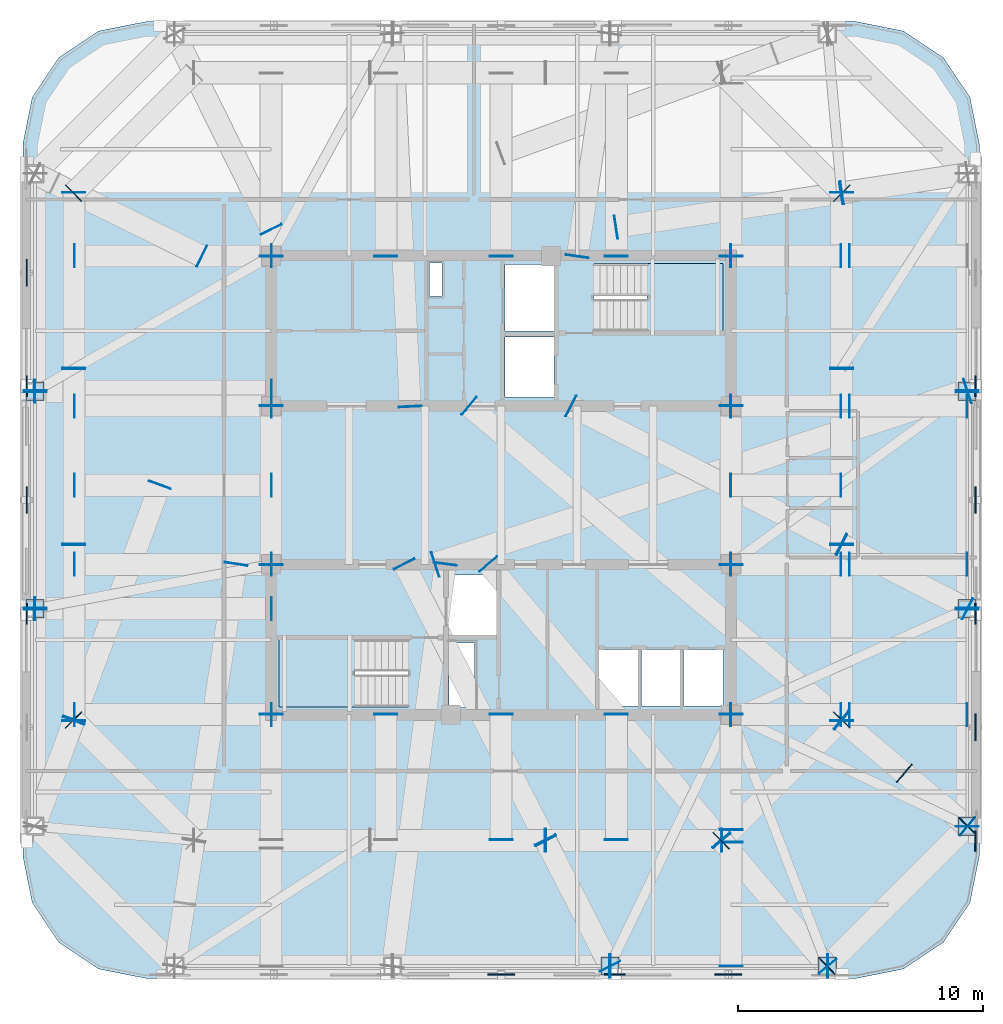
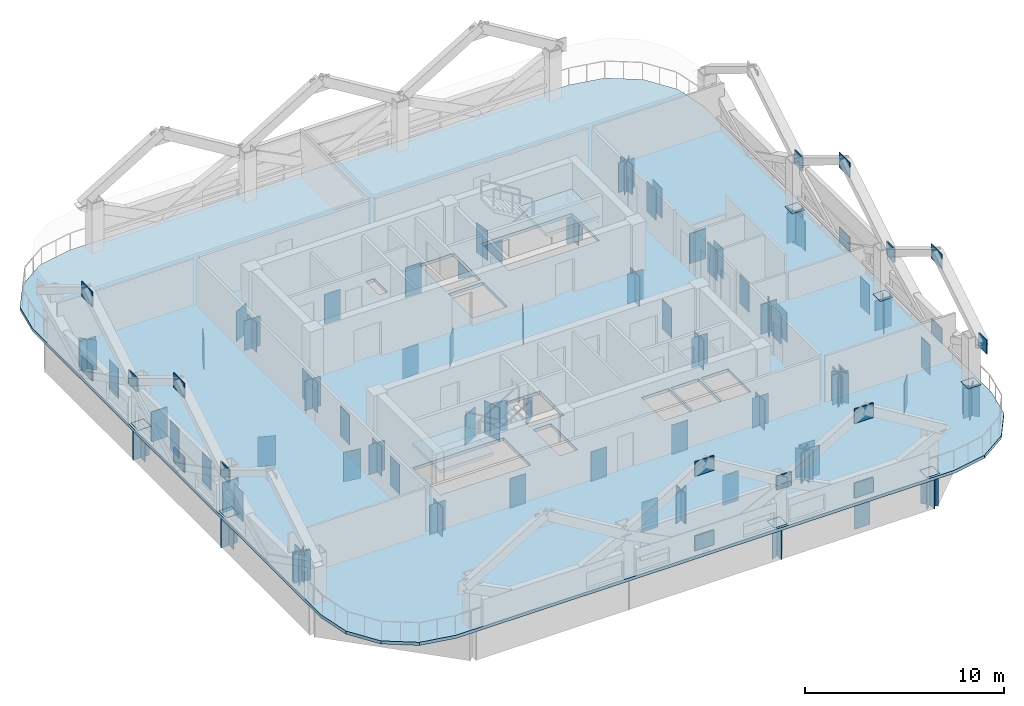
# One storey, part 4 of 11: 141 plates, 3 slabs, 2 elements without a shape of their own.
"""IFC4 building model written with IfcOpenShell, lengths in metres."""

from ifc_helpers import new_model, si_unit, direction, frame, origin, origin_2d, place, context, subcontext, project, spatial, polyline, rectangle, outline, extrude, material, layer, layer_set, type_object, element, aggregate, save


model = new_model("IFC4")

# Units and contexts
model_context = context("Model", 3, precision=1e-05, world=origin(), true_north=direction((0.0, 1.0)))
body_context = subcontext(model_context, "Body", "Model", "MODEL_VIEW")
ifc_project = project(units=[si_unit("LENGTHUNIT", "METRE"), si_unit("AREAUNIT", "SQUARE_METRE"), si_unit("VOLUMEUNIT", "CUBIC_METRE"), si_unit("PLANEANGLEUNIT", "RADIAN"), si_unit("MASSUNIT", "GRAM", prefix="KILO")], contexts=[model_context])

# Site, building, storey
site_placement = place(None, origin())
site = spatial("IfcSite", under=ifc_project, at=site_placement, CompositionType="ELEMENT")
building_placement = place(site_placement, origin())
building = spatial("IfcBuilding", under=site, at=building_placement, Name="Qhalaya Broadcast Tower", CompositionType="ELEMENT")
storey_placement = place(building_placement, frame((0.0, 0.0, 199.5)))
storey = spatial("IfcBuildingStorey", under=building, at=storey_placement, Name="L58", CompositionType="ELEMENT", Elevation=199.5)

# Plates
ifc_material_1 = material(Name="Structural Steel ASTM A572 Grade 50", Category="steel")
ifc_layer_1 = layer(ifc_material_1, 0.054931640625, Name="Structural Steel ASTM A572 Grade 50")
ifc_layer_set_1 = layer_set([ifc_layer_1], Name="Structural Steel ASTM A572 Grade 50")
plate_type_1 = type_object("IfcPlateType", Name="Exoskeleton Diamond Node Gusset Plate NP-01", PredefinedType="USERDEFINED", material=ifc_layer_set_1)
for number, where, z_axis, x_axis, name in (
    (1, (0.0, -19.340087890625, 0.2099609375), (0.0, 0.0, 1.0), (1.0, 0.0, 0.0), "Exoskeleton Diamond Node B5-S2-BOT"),
    (2, (0.0, -19.340087890625, 4.780029296875), (0.0, 0.0, 1.0), (1.0, 0.0, 0.0), "Exoskeleton Diamond Node B5-S2-TOP"),
    (3, (9.2666015625, -19.340087890625, 0.2099609375), (0.0, 0.0, 1.0), (1.0, 0.0, 0.0), "Exoskeleton Diamond Node B5-S3-BOT"),
    (4, (9.2666015625, -19.340087890625, 4.780029296875), (0.0, 0.0, 1.0), (1.0, 0.0, 0.0), "Exoskeleton Diamond Node B5-S3-TOP"),
):
    element("IfcPlate", number, at=place(storey_placement, frame(where, z_axis=z_axis, x_axis=x_axis)), inside=storey, type_object=plate_type_1, Name=name, ObjectType="GUSSET_PLATE", PredefinedType="USERDEFINED", context=body_context, shape_type="SweptSolid", body=[
        extrude(rectangle(XDim=1.10009765625, YDim=0.054931640625, at=origin_2d()), origin(), (0.0, 0.0, 1.0), 0.89990234375),
    ])
plate_1_placement = place(storey_placement, frame((4.63330078125, -19.340087890625, 2.280029296875), z_axis=(0.0, 0.0, 1.0), x_axis=(1.0, 0.0, 0.0)))
element("IfcPlate", 5, at=plate_1_placement, inside=storey, type_object=plate_type_1, Name="Exoskeleton Diamond Node B5-S3-MDL", ObjectType="GUSSET_PLATE", PredefinedType="USERDEFINED", context=body_context, shape_type="SweptSolid", body=[
    extrude(rectangle(XDim=0.85009765625, YDim=0.054931640625, at=origin_2d()), origin(), (0.0, 0.0, 1.0), 0.85009765625),
])
for number, where, z_axis, x_axis, name in (
    (6, (19.340087890625, -9.2666015625, 0.2099609375), (0.0, 0.0, 1.0), (0.0, 1.0, 0.0), "Exoskeleton Diamond Node B5-E1-BOT"),
    (7, (19.340087890625, -9.2666015625, 4.780029296875), (0.0, 0.0, 1.0), (0.0, 1.0, 0.0), "Exoskeleton Diamond Node B5-E1-TOP"),
):
    element("IfcPlate", number, at=place(storey_placement, frame(where, z_axis=z_axis, x_axis=x_axis)), inside=storey, type_object=plate_type_1, Name=name, ObjectType="GUSSET_PLATE", PredefinedType="USERDEFINED", context=body_context, shape_type="SweptSolid", body=[
        extrude(rectangle(XDim=1.10009765625, YDim=0.054931640625, at=origin_2d()), origin(), (0.0, 0.0, 1.0), 0.89990234375),
    ])
plate_2_placement = place(storey_placement, frame((19.340087890625, -13.89990234375, 2.280029296875), z_axis=(0.0, 0.0, 1.0), x_axis=(0.0, 1.0, 0.0)))
element("IfcPlate", 8, at=plate_2_placement, inside=storey, type_object=plate_type_1, Name="Exoskeleton Diamond Node B5-E1-MDL", ObjectType="GUSSET_PLATE", PredefinedType="USERDEFINED", context=body_context, shape_type="SweptSolid", body=[
    extrude(rectangle(XDim=0.85009765625, YDim=0.054931640625, at=origin_2d()), origin(), (0.0, 0.0, 1.0), 0.85009765625),
])
for number, where, z_axis, x_axis, name in (
    (9, (19.340087890625, 0.0, 0.2099609375), (0.0, 0.0, 1.0), (0.0, 1.0, 0.0), "Exoskeleton Diamond Node B5-E2-BOT"),
    (10, (19.340087890625, 0.0, 4.780029296875), (0.0, 0.0, 1.0), (0.0, 1.0, 0.0), "Exoskeleton Diamond Node B5-E2-TOP"),
):
    element("IfcPlate", number, at=place(storey_placement, frame(where, z_axis=z_axis, x_axis=x_axis)), inside=storey, type_object=plate_type_1, Name=name, ObjectType="GUSSET_PLATE", PredefinedType="USERDEFINED", context=body_context, shape_type="SweptSolid", body=[
        extrude(rectangle(XDim=1.10009765625, YDim=0.054931640625, at=origin_2d()), origin(), (0.0, 0.0, 1.0), 0.89990234375),
    ])
for number, where, z_axis, x_axis, name in (
    (11, (19.340087890625, -4.63330078125, 2.280029296875), (0.0, 0.0, 1.0), (0.0, 1.0, 0.0), "Exoskeleton Diamond Node B5-E2-MDL"),
    (12, (19.340087890625, 4.63330078125, 2.280029296875), (0.0, 0.0, 1.0), (0.0, 1.0, 0.0), "Exoskeleton Diamond Node B5-E3-MDL"),
):
    element("IfcPlate", number, at=place(storey_placement, frame(where, z_axis=z_axis, x_axis=x_axis)), inside=storey, type_object=plate_type_1, Name=name, ObjectType="GUSSET_PLATE", PredefinedType="USERDEFINED", context=body_context, shape_type="SweptSolid", body=[
        extrude(rectangle(XDim=0.85009765625, YDim=0.054931640625, at=origin_2d()), origin(), (0.0, 0.0, 1.0), 0.85009765625),
    ])
for number, where, z_axis, x_axis, name in (
    (13, (-19.340087890625, 9.2666015625, 0.2099609375), (0.0, 0.0, 1.0), (0.0, 1.0, 0.0), "Exoskeleton Diamond Node B5-W1-BOT"),
    (14, (-19.340087890625, 9.2666015625, 4.780029296875), (0.0, 0.0, 1.0), (0.0, 1.0, 0.0), "Exoskeleton Diamond Node B5-W1-TOP"),
    (15, (-19.340087890625, 0.0, 0.2099609375), (0.0, 0.0, 1.0), (0.0, 1.0, 0.0), "Exoskeleton Diamond Node B5-W2-BOT"),
    (16, (-19.340087890625, 0.0, 4.780029296875), (0.0, 0.0, 1.0), (0.0, 1.0, 0.0), "Exoskeleton Diamond Node B5-W2-TOP"),
):
    element("IfcPlate", number, at=place(storey_placement, frame(where, z_axis=z_axis, x_axis=x_axis)), inside=storey, type_object=plate_type_1, Name=name, ObjectType="GUSSET_PLATE", PredefinedType="USERDEFINED", context=body_context, shape_type="SweptSolid", body=[
        extrude(rectangle(XDim=1.10009765625, YDim=0.054931640625, at=origin_2d()), origin(), (0.0, 0.0, 1.0), 0.89990234375),
    ])
for number, where, z_axis, x_axis, name in (
    (17, (-19.340087890625, 4.63330078125, 2.280029296875), (0.0, 0.0, 1.0), (0.0, 1.0, 0.0), "Exoskeleton Diamond Node B5-W2-MDL"),
    (18, (-19.340087890625, -4.63330078125, 2.280029296875), (0.0, 0.0, 1.0), (0.0, 1.0, 0.0), "Exoskeleton Diamond Node B5-W3-MDL"),
):
    element("IfcPlate", number, at=place(storey_placement, frame(where, z_axis=z_axis, x_axis=x_axis)), inside=storey, type_object=plate_type_1, Name=name, ObjectType="GUSSET_PLATE", PredefinedType="USERDEFINED", context=body_context, shape_type="SweptSolid", body=[
        extrude(rectangle(XDim=0.85009765625, YDim=0.054931640625, at=origin_2d()), origin(), (0.0, 0.0, 1.0), 0.85009765625),
    ])
ifc_layer_2 = layer(ifc_material_1, 0.4599609375, Name="Structural Steel ASTM A572 Grade 50")
ifc_layer_set_2 = layer_set([ifc_layer_2], Name="Structural Steel ASTM A572 Grade 50")
plate_type_2 = type_object("IfcPlateType", Name="Hollow Box Member End Cap Plate CP-01", PredefinedType="USERDEFINED", material=ifc_layer_set_2)
for number, where, z_axis, x_axis, name in (
    (19, (4.44921875, -19.0, -2.01025390625), (0.0, 0.0, 1.0), (0.0, 1.0, 0.0), "L58 Hollow Girder End Cap L58-SPR-02-B"),
    (20, (4.417236328125, -19.0, -2.01025390625), (0.0, 0.0, 1.0), (0.0, 1.0, 0.0), "L58 Hollow Girder End Cap L58-SPR-03-A"),
    (21, (13.31591796875, -19.0, -2.01025390625), (0.0, 0.0, 1.0), (0.0, 1.0, 0.0), "L58 Hollow Girder End Cap L58-SPR-03-B"),
    (22, (13.288818359375, -19.01123046875, -2.01025390625), (0.0, 0.0, 1.0), (-0.707106781187, 0.707106781187, 0.0), "L58 Hollow Girder End Cap L58-SPR-04-A"),
    (23, (19.01123046875, -13.288818359375, -2.01025390625), (0.0, 0.0, 1.0), (-0.707106781187, 0.707106781187, 0.0), "L58 Hollow Girder End Cap L58-SPR-04-B"),
    (24, (19.0, -13.31591796875, -2.01025390625), (0.0, 0.0, 1.0), (-1.0, 0.0, 0.0), "L58 Hollow Girder End Cap L58-SPR-05-A"),
    (25, (19.0, -4.417236328125, -2.01025390625), (0.0, 0.0, 1.0), (-1.0, 0.0, 0.0), "L58 Hollow Girder End Cap L58-SPR-05-B"),
    (26, (19.0, -4.44921875, -2.01025390625), (0.0, 0.0, 1.0), (-1.0, 0.0, 0.0), "L58 Hollow Girder End Cap L58-SPR-06-A"),
    (27, (19.0, 4.44921875, -2.01025390625), (0.0, 0.0, 1.0), (-1.0, 0.0, 0.0), "L58 Hollow Girder End Cap L58-SPR-06-B"),
    (28, (19.0, 4.417236328125, -2.01025390625), (0.0, 0.0, 1.0), (-1.0, 0.0, 0.0), "L58 Hollow Girder End Cap L58-SPR-07-A"),
    (29, (-19.0, 4.417236328125, -2.01025390625), (0.0, 0.0, 1.0), (1.0, 0.0, 0.0), "L58 Hollow Girder End Cap L58-SPR-13-B"),
    (30, (-19.0, 4.44921875, -2.01025390625), (0.0, 0.0, 1.0), (1.0, 0.0, 0.0), "L58 Hollow Girder End Cap L58-SPR-14-A"),
    (31, (-19.0, -4.44921875, -2.01025390625), (0.0, 0.0, 1.0), (1.0, 0.0, 0.0), "L58 Hollow Girder End Cap L58-SPR-14-B"),
    (32, (-19.0, -4.417236328125, -2.01025390625), (0.0, 0.0, 1.0), (1.0, 0.0, 0.0), "L58 Hollow Girder End Cap L58-SPR-15-A"),
    (33, (1.829345703125, -13.8798828125, -2.01025390625), (0.0, 0.0, 1.0), (0.0, 1.0, 0.0), "L58 Hollow Girder End Cap L58-TGL-02-B"),
    (34, (1.79736328125, -13.8798828125, -2.01025390625), (0.0, 0.0, 1.0), (0.0, 1.0, 0.0), "L58 Hollow Girder End Cap L58-TGL-03-A"),
    (35, (8.99609375, -13.8798828125, -2.01025390625), (0.0, 0.0, 1.0), (0.0, 1.0, 0.0), "L58 Hollow Girder End Cap L58-TGL-03-B"),
    (36, (8.96875, -13.891357421875, -2.01025390625), (0.0, 0.0, 1.0), (-0.707106781187, 0.707106781187, 0.0), "L58 Hollow Girder End Cap L58-TGL-04-A"),
    (37, (13.891357421875, -8.96875, -2.01025390625), (0.0, 0.0, 1.0), (-0.707106781187, 0.707106781187, 0.0), "L58 Hollow Girder End Cap L58-TGL-04-B"),
    (38, (13.8798828125, -8.99609375, -2.01025390625), (0.0, 0.0, 1.0), (-1.0, 0.0, 0.0), "L58 Hollow Girder End Cap L58-TGL-05-A"),
    (39, (13.8798828125, -1.79736328125, -2.01025390625), (0.0, 0.0, 1.0), (-1.0, 0.0, 0.0), "L58 Hollow Girder End Cap L58-TGL-05-B"),
    (40, (13.8798828125, -1.829345703125, -2.01025390625), (0.0, 0.0, 1.0), (-1.0, 0.0, 0.0), "L58 Hollow Girder End Cap L58-TGL-06-A"),
    (41, (13.8798828125, 5.369384765625, -2.01025390625), (0.0, 0.0, 1.0), (-1.0, 0.0, 0.0), "L58 Hollow Girder End Cap L58-TGL-06-B"),
    (42, (13.8798828125, 5.33740234375, -2.01025390625), (0.0, 0.0, 1.0), (-1.0, 0.0, 0.0), "L58 Hollow Girder End Cap L58-TGL-07-A"),
    (43, (13.8798828125, 12.535888671875, -2.01025390625), (0.0, 0.0, 1.0), (-1.0, 0.0, 0.0), "L58 Hollow Girder End Cap L58-TGL-07-B"),
    (44, (13.891357421875, 12.5087890625, -2.01025390625), (0.0, 0.0, 1.0), (-0.707106781187, -0.707106781187, 0.0), "L58 Hollow Girder End Cap L58-TGL-08-A"),
    (45, (-17.431396484375, 12.5087890625, -2.01025390625), (0.0, 0.0, 1.0), (0.707106781187, -0.707106781187, 0.0), "L58 Hollow Girder End Cap L58-TGL-12-B"),
    (46, (-17.419921875, 12.535888671875, -2.01025390625), (0.0, 0.0, 1.0), (1.0, 0.0, 0.0), "L58 Hollow Girder End Cap L58-TGL-13-A"),
    (47, (-17.419921875, 5.33740234375, -2.01025390625), (0.0, 0.0, 1.0), (1.0, 0.0, 0.0), "L58 Hollow Girder End Cap L58-TGL-13-B"),
    (48, (-17.419921875, 5.369384765625, -2.01025390625), (0.0, 0.0, 1.0), (1.0, 0.0, 0.0), "L58 Hollow Girder End Cap L58-TGL-14-A"),
    (49, (-17.419921875, -1.829345703125, -2.01025390625), (0.0, 0.0, 1.0), (1.0, 0.0, 0.0), "L58 Hollow Girder End Cap L58-TGL-14-B"),
    (50, (-17.419921875, -1.79736328125, -2.01025390625), (0.0, 0.0, 1.0), (1.0, 0.0, 0.0), "L58 Hollow Girder End Cap L58-TGL-15-A"),
    (51, (-17.419921875, -8.99609375, -2.01025390625), (0.0, 0.0, 1.0), (1.0, 0.0, 0.0), "L58 Hollow Girder End Cap L58-TGL-15-B"),
    (52, (-17.431396484375, -8.96875, -2.01025390625), (0.0, 0.0, 1.0), (0.707106781187, 0.707106781187, 0.0), "L58 Hollow Girder End Cap L58-TGL-16-A"),
    (53, (-9.375, 9.93408203125, -2.01025390625), (0.0, 0.0, 1.0), (-1.0, 0.0, 0.0), "L58 Hollow Girder End Cap L58-TGINW-1-A"),
    (54, (9.375, 9.93408203125, -2.01025390625), (0.0, 0.0, 1.0), (-1.0, 0.0, 0.0), "L58 Hollow Girder End Cap L58-TGINE-1-A"),
    (55, (0.0, 9.93408203125, -2.01025390625), (0.0, 0.0, 1.0), (-1.0, 0.0, 0.0), "L58 Hollow Girder End Cap L58-TGIMN-1-A"),
    (56, (0.0, -13.85595703125, -2.01025390625), (0.0, 0.0, 1.0), (-1.0, 0.0, 0.0), "L58 Hollow Girder End Cap L58-TGIMS-1-A"),
    (57, (0.0, -8.73388671875, -2.01025390625), (0.0, 0.0, 1.0), (-1.0, 0.0, 0.0), "L58 Hollow Girder End Cap L58-TGIMS-1-B"),
    (58, (-4.699951171875, 9.93408203125, -2.01025390625), (0.0, 0.0, 1.0), (-1.0, 0.0, 0.0), "L58 Hollow Girder End Cap L58-TGIMNW-1-A"),
    (59, (4.699951171875, 9.93408203125, -2.01025390625), (0.0, 0.0, 1.0), (-1.0, 0.0, 0.0), "L58 Hollow Girder End Cap L58-TGIMNE-1-A"),
    (60, (-4.699951171875, -8.73388671875, -2.01025390625), (0.0, 0.0, 1.0), (-1.0, 0.0, 0.0), "L58 Hollow Girder End Cap L58-TGIMSW-1-B"),
    (61, (4.699951171875, -13.85595703125, -2.01025390625), (0.0, 0.0, 1.0), (-1.0, 0.0, 0.0), "L58 Hollow Girder End Cap L58-TGIMSE-1-A"),
    (62, (4.699951171875, -8.73388671875, -2.01025390625), (0.0, 0.0, 1.0), (-1.0, 0.0, 0.0), "L58 Hollow Girder End Cap L58-TGIMSE-1-B"),
    (63, (-17.39599609375, 0.60009765625, -2.01025390625), (0.0, 0.0, 1.0), (0.0, 1.0, 0.0), "L58 Hollow Girder End Cap L58-TGIYW-1-A"),
    (64, (-9.35888671875, 0.60009765625, -2.01025390625), (0.0, 0.0, 1.0), (0.0, 1.0, 0.0), "L58 Hollow Girder End Cap L58-TGIYW-1-B"),
    (65, (9.35888671875, 0.60009765625, -2.01025390625), (0.0, 0.0, 1.0), (0.0, 1.0, 0.0), "L58 Hollow Girder End Cap L58-TGIYE-1-A"),
    (66, (13.85595703125, 0.60009765625, -2.01025390625), (0.0, 0.0, 1.0), (0.0, 1.0, 0.0), "L58 Hollow Girder End Cap L58-TGIYE-1-B"),
    (67, (-9.375, -8.73388671875, -2.01025390625), (0.0, 0.0, 1.0), (-1.0, 0.0, 0.0), "L58 Hollow Girder End Cap L58-TGISW-1-B"),
    (68, (9.375, -13.4443359375, -2.01025390625), (0.0, 0.0, 1.0), (-1.0, 0.0, 0.0), "L58 Hollow Girder End Cap L58-TGISE-1-A"),
    (69, (9.375, -8.73388671875, -2.01025390625), (0.0, 0.0, 1.0), (-1.0, 0.0, 0.0), "L58 Hollow Girder End Cap L58-TGISE-1-B"),
    (70, (-9.375, -2.64111328125, -2.01025390625), (0.0, 0.0, 1.0), (-1.0, 0.0, 0.0), "L58 Hollow Girder End Cap L58-TGIMW-1-A"),
    (71, (-9.375, 3.841064453125, -2.01025390625), (0.0, 0.0, 1.0), (-1.0, 0.0, 0.0), "L58 Hollow Girder End Cap L58-TGIMW-1-B"),
    (72, (9.375, -2.64111328125, -2.01025390625), (0.0, 0.0, 1.0), (-1.0, 0.0, 0.0), "L58 Hollow Girder End Cap L58-TGIME-1-A"),
    (73, (9.375, 3.841064453125, -2.01025390625), (0.0, 0.0, 1.0), (-1.0, 0.0, 0.0), "L58 Hollow Girder End Cap L58-TGIME-1-B"),
    (74, (-17.39599609375, -8.75, -2.01025390625), (0.0, 0.0, 1.0), (0.0, 1.0, 0.0), "L58 Hollow Girder End Cap L58-TGIY1W-1-A"),
    (75, (-9.35888671875, -8.75, -2.01025390625), (0.0, 0.0, 1.0), (0.0, 1.0, 0.0), "L58 Hollow Girder End Cap L58-TGIY1W-1-B"),
    (76, (9.35888671875, -8.75, -2.01025390625), (0.0, 0.0, 1.0), (0.0, 1.0, 0.0), "L58 Hollow Girder End Cap L58-TGIY1E-1-A"),
    (77, (13.85595703125, -8.75, -2.01025390625), (0.0, 0.0, 1.0), (0.0, 1.0, 0.0), "L58 Hollow Girder End Cap L58-TGIY1E-1-B"),
    (78, (-17.39599609375, -2.625, -2.01025390625), (0.0, 0.0, 1.0), (0.0, 1.0, 0.0), "L58 Hollow Girder End Cap L58-TGIY2W-1-A"),
    (79, (-9.35888671875, -2.625, -2.01025390625), (0.0, 0.0, 1.0), (0.0, 1.0, 0.0), "L58 Hollow Girder End Cap L58-TGIY2W-1-B"),
    (80, (9.35888671875, -2.625, -2.01025390625), (0.0, 0.0, 1.0), (0.0, 1.0, 0.0), "L58 Hollow Girder End Cap L58-TGIY2E-1-A"),
    (81, (13.85595703125, -2.625, -2.01025390625), (0.0, 0.0, 1.0), (0.0, 1.0, 0.0), "L58 Hollow Girder End Cap L58-TGIY2E-1-B"),
    (82, (-17.39599609375, 3.824951171875, -2.01025390625), (0.0, 0.0, 1.0), (0.0, 1.0, 0.0), "L58 Hollow Girder End Cap L58-TGIY3W-1-A"),
    (83, (-9.35888671875, 3.824951171875, -2.01025390625), (0.0, 0.0, 1.0), (0.0, 1.0, 0.0), "L58 Hollow Girder End Cap L58-TGIY3W-1-B"),
    (84, (9.35888671875, 3.824951171875, -2.01025390625), (0.0, 0.0, 1.0), (0.0, 1.0, 0.0), "L58 Hollow Girder End Cap L58-TGIY3E-1-A"),
    (85, (13.85595703125, 3.824951171875, -2.01025390625), (0.0, 0.0, 1.0), (0.0, 1.0, 0.0), "L58 Hollow Girder End Cap L58-TGIY3E-1-B"),
    (86, (-17.39599609375, 9.949951171875, -2.01025390625), (0.0, 0.0, 1.0), (0.0, 1.0, 0.0), "L58 Hollow Girder End Cap L58-TGIY4W-1-A"),
    (87, (-9.35888671875, 9.949951171875, -2.01025390625), (0.0, 0.0, 1.0), (0.0, 1.0, 0.0), "L58 Hollow Girder End Cap L58-TGIY4W-1-B"),
    (88, (9.35888671875, 9.949951171875, -2.01025390625), (0.0, 0.0, 1.0), (0.0, 1.0, 0.0), "L58 Hollow Girder End Cap L58-TGIY4E-1-A"),
    (89, (13.85595703125, 9.949951171875, -2.01025390625), (0.0, 0.0, 1.0), (0.0, 1.0, 0.0), "L58 Hollow Girder End Cap L58-TGIY4E-1-B"),
    (90, (-10.802978515625, -2.609130859375, -2.01025390625), (0.0, 0.0, 1.0), (0.988593989373, -0.150605193055, 0.0), "L58 Hollow Girder End Cap L58-TGA-01-A"),
    (91, (-2.280029296875, -2.609130859375, -2.01025390625), (0.0, 0.0, 1.0), (0.991481272505, -0.130249323499, 0.0), "L58 Hollow Girder End Cap L58-TGA-02-A"),
    (92, (-3.953369140625, -2.61083984375, -2.01025390625), (0.0, 0.0, 1.0), (0.890212804611, 0.455544907234, 0.0), "L58 Hollow Girder End Cap L58-TGA-03-A"),
    (93, (1.820556640625, -13.894287109375, -2.01025390625), (0.0, 0.0, 1.0), (0.890212804611, 0.455544907234, 0.0), "L58 Hollow Girder End Cap L58-TGA-03-B"),
    (94, (1.805908203125, -13.86572265625, -2.01025390625), (0.0, 0.0, 1.0), (0.890212804611, 0.455544907234, 0.0), "L58 Hollow Girder End Cap L58-TGC-03-A"),
    (95, (4.440673828125, -19.01416015625, -2.01025390625), (0.0, 0.0, 1.0), (0.890212804611, 0.455544907234, 0.0), "L58 Hollow Girder End Cap L58-TGC-03-B"),
    (96, (-0.526611328125, -2.61279296875, -2.01025390625), (0.0, 0.0, 1.0), (0.764291479286, 0.644870944213, 0.0), "L58 Hollow Girder End Cap L58-TGA-04-A"),
    (97, (8.990234375, -13.89208984375, -2.01025390625), (0.0, 0.0, 1.0), (0.764291479286, 0.644870944213, 0.0), "L58 Hollow Girder End Cap L58-TGA-04-B"),
    (98, (8.9697265625, -13.867919921875, -2.01025390625), (0.0, 0.0, 1.0), (0.764291479286, 0.644870944213, 0.0), "L58 Hollow Girder End Cap L58-TGC-04-A"),
    (99, (13.310302734375, -19.01220703125, -2.01025390625), (0.0, 0.0, 1.0), (0.764291479286, 0.644870944213, 0.0), "L58 Hollow Girder End Cap L58-TGC-04-B"),
    (100, (-1.30859375, 3.835205078125, -2.01025390625), (0.0, 0.0, 1.0), (0.644870944213, 0.764291479286, 0.0), "L58 Hollow Girder End Cap L58-TGA-05-A"),
    (101, (13.89208984375, -8.990234375, -2.01025390625), (0.0, 0.0, 1.0), (0.644870944213, 0.764291479286, 0.0), "L58 Hollow Girder End Cap L58-TGA-05-B"),
    (102, (13.867919921875, -8.9697265625, -2.01025390625), (0.0, 0.0, 1.0), (0.644870944213, 0.764291479286, 0.0), "L58 Hollow Girder End Cap L58-TGC-05-A"),
    (103, (19.01220703125, -13.310302734375, -2.01025390625), (0.0, 0.0, 1.0), (0.644870944213, 0.764291479286, 0.0), "L58 Hollow Girder End Cap L58-TGC-05-B"),
):
    element("IfcPlate", number, at=place(storey_placement, frame(where, z_axis=z_axis, x_axis=x_axis)), inside=storey, type_object=plate_type_2, Name=name, ObjectType="COVER_PLATE", PredefinedType="USERDEFINED", context=body_context, shape_type="SweptSolid", body=[
        extrude(rectangle(XDim=0.93994140625, YDim=0.031982421875, at=origin_2d()), origin(), (0.0, 0.0, 1.0), 1.840087890625),
    ])
plate_3_placement = place(storey_placement, frame((19.0, -13.300048828125, -1.990234375), z_axis=(0.0, 0.0, 1.0), x_axis=(0.644870944213, 0.764291479286, 0.0)))
element("IfcPlate", 104, at=plate_3_placement, inside=storey, type_object=plate_type_2, Name="L58 Transfer Box End Cap 05", ObjectType="COVER_PLATE", PredefinedType="USERDEFINED", context=body_context, shape_type="SweptSolid", body=[
    extrude(rectangle(XDim=0.919921875, YDim=0.035888671875, at=origin_2d()), origin(), (0.0, 0.0, 1.0), 1.800048828125),
])
for number, where, z_axis, x_axis, name in (
    (105, (2.847412109375, 3.832275390625, -2.01025390625), (0.0, 0.0, 1.0), (0.455544907234, 0.890212804611, 0.0), "L58 Hollow Girder End Cap L58-TGA-06-A"),
    (106, (13.894287109375, -1.820556640625, -2.01025390625), (0.0, 0.0, 1.0), (0.455544907234, 0.890212804611, 0.0), "L58 Hollow Girder End Cap L58-TGA-06-B"),
    (107, (13.86572265625, -1.805908203125, -2.01025390625), (0.0, 0.0, 1.0), (0.455544907234, 0.890212804611, 0.0), "L58 Hollow Girder End Cap L58-TGC-06-A"),
    (108, (19.01416015625, -4.440673828125, -2.01025390625), (0.0, 0.0, 1.0), (0.455544907234, 0.890212804611, 0.0), "L58 Hollow Girder End Cap L58-TGC-06-B"),
):
    element("IfcPlate", number, at=place(storey_placement, frame(where, z_axis=z_axis, x_axis=x_axis)), inside=storey, type_object=plate_type_2, Name=name, ObjectType="COVER_PLATE", PredefinedType="USERDEFINED", context=body_context, shape_type="SweptSolid", body=[
        extrude(rectangle(XDim=0.93994140625, YDim=0.031982421875, at=origin_2d()), origin(), (0.0, 0.0, 1.0), 1.840087890625),
    ])
for number, where, z_axis, x_axis, name in (
    (109, (-2.682373046875, -2.6298828125, -2.2099609375), (0.0, 0.0, 1.0), (-0.309747262157, 0.950818927865, 0.0), "L58 Hollow Girder End Cap L58-TGA-07-A"),
    (110, (19.01513671875, 4.438232421875, -2.2099609375), (0.0, 0.0, 1.0), (-0.309747262157, 0.950818927865, 0.0), "L58 Hollow Girder End Cap L58-TGA-07-B"),
):
    element("IfcPlate", number, at=place(storey_placement, frame(where, z_axis=z_axis, x_axis=x_axis)), inside=storey, type_object=plate_type_2, Name=name, ObjectType="COVER_PLATE", PredefinedType="USERDEFINED", context=body_context, shape_type="SweptSolid", body=[
        extrude(rectangle(XDim=1.0400390625, YDim=0.031982421875, at=origin_2d()), origin(), (0.0, 0.0, 1.0), 2.0400390625),
    ])
for number, where, z_axis, x_axis, name in (
    (111, (4.68408203125, 11.119140625, -2.01025390625), (0.0, 0.0, 1.0), (-0.150605193055, 0.988593989373, 0.0), "L58 Hollow Girder End Cap L58-TGA-08-A"),
    (112, (13.895751953125, 12.5224609375, -2.01025390625), (0.0, 0.0, 1.0), (-0.150605193055, 0.988593989373, 0.0), "L58 Hollow Girder End Cap L58-TGA-08-B"),
    (113, (13.8642578125, 12.517578125, -2.01025390625), (0.0, 0.0, 1.0), (-0.150605193055, 0.988593989373, 0.0), "L58 Hollow Girder End Cap L58-TGC-08-A"),
    (114, (3.107421875, 9.93408203125, -2.01025390625), (0.0, 0.0, 1.0), (-0.989472813294, 0.144718871441, 0.0), "L58 Hollow Girder End Cap L58-TGA-10-A"),
    (115, (-3.708251953125, 3.80908203125, -2.01025390625), (0.0, 0.0, 1.0), (-0.998863409967, -0.047664328684, 0.0), "L58 Hollow Girder End Cap L58-TGA-11-A"),
    (116, (-9.367919921875, 11.03515625, -2.01025390625), (0.0, 0.0, 1.0), (-0.896687397402, -0.442664332582, 0.0), "L58 Hollow Girder End Cap L58-TGA-12-A"),
    (117, (-12.19970703125, 9.94287109375, -2.01025390625), (0.0, 0.0, 1.0), (-0.442664332582, -0.896687397402, 0.0), "L58 Hollow Girder End Cap L58-TGA-13-A"),
    (118, (-9.35888671875, 4.433349609375, -2.01025390625), (0.0, 0.0, 1.0), (0.0, -1.0, 0.0), "L58 Hollow Girder End Cap L58-TGA-14-A"),
    (119, (-19.01611328125, 4.433349609375, -2.01025390625), (0.0, 0.0, 1.0), (0.0, -1.0, 0.0), "L58 Hollow Girder End Cap L58-TGA-14-B"),
    (120, (-9.35888671875, -4.433349609375, -2.01025390625), (0.0, 0.0, 1.0), (0.0, -1.0, 0.0), "L58 Hollow Girder End Cap L58-TGA-15-A"),
    (121, (-19.01611328125, -4.433349609375, -2.01025390625), (0.0, 0.0, 1.0), (0.0, -1.0, 0.0), "L58 Hollow Girder End Cap L58-TGA-15-B"),
    (122, (-13.91064453125, 0.614990234375, -2.01025390625), (0.0, 0.0, 1.0), (0.939154217723, -0.343495786485, 0.0), "L58 Hollow Girder End Cap L58-TGA-16-A"),
    (123, (-17.425537109375, -8.9951171875, -2.01025390625), (0.0, 0.0, 1.0), (0.939154217723, -0.343495786485, 0.0), "L58 Hollow Girder End Cap L58-TGA-16-B"),
    (124, (-17.41455078125, -8.965087890625, -2.01025390625), (0.0, 0.0, 1.0), (0.939154217723, -0.343495786485, 0.0), "L58 Hollow Girder End Cap L58-TGC-16-A"),
    (125, (9.375, -18.99609375, -2.01025390625), (0.0, 0.0, 1.0), (-1.0, 0.0, 0.0), "L58 Hollow Girder End Cap L58-PGXS2-OV1-A"),
    (126, (9.375, -13.94970703125, -2.01025390625), (0.0, 0.0, 1.0), (-1.0, 0.0, 0.0), "L58 Hollow Girder End Cap L58-PGXS2-OV1-B"),
    (127, (14.2041015625, -8.75, -2.01025390625), (0.0, 0.0, 1.0), (0.0, 1.0, 0.0), "L58 Hollow Girder End Cap L58-PGYE1-OV1-A"),
    (128, (18.99609375, -8.75, -2.01025390625), (0.0, 0.0, 1.0), (0.0, 1.0, 0.0), "L58 Hollow Girder End Cap L58-PGYE1-OV1-B"),
    (129, (14.2041015625, -2.625, -2.01025390625), (0.0, 0.0, 1.0), (0.0, 1.0, 0.0), "L58 Hollow Girder End Cap L58-PGYE2-OV1-A"),
    (130, (18.99609375, -2.625, -2.01025390625), (0.0, 0.0, 1.0), (0.0, 1.0, 0.0), "L58 Hollow Girder End Cap L58-PGYE2-OV1-B"),
    (131, (14.2041015625, 3.824951171875, -2.01025390625), (0.0, 0.0, 1.0), (0.0, 1.0, 0.0), "L58 Hollow Girder End Cap L58-PGYE3-OV1-A"),
    (132, (18.99609375, 3.824951171875, -2.01025390625), (0.0, 0.0, 1.0), (0.0, 1.0, 0.0), "L58 Hollow Girder End Cap L58-PGYE3-OV1-B"),
    (133, (14.2041015625, 9.949951171875, -2.01025390625), (0.0, 0.0, 1.0), (0.0, 1.0, 0.0), "L58 Hollow Girder End Cap L58-PGYE4-OV1-A"),
):
    element("IfcPlate", number, at=place(storey_placement, frame(where, z_axis=z_axis, x_axis=x_axis)), inside=storey, type_object=plate_type_2, Name=name, ObjectType="COVER_PLATE", PredefinedType="USERDEFINED", context=body_context, shape_type="SweptSolid", body=[
        extrude(rectangle(XDim=0.93994140625, YDim=0.031982421875, at=origin_2d()), origin(), (0.0, 0.0, 1.0), 1.840087890625),
    ])
for number, where, z_axis, x_axis, name in (
    (134, (4.433349609375, -19.0, -0.0322265625), (0.0, 0.0, 1.0), (1.0, 0.0, 0.0), "L58 Hollow Box Column Base Cap Plate COL-EX03"),
    (135, (13.300048828125, -19.0, -0.0322265625), (0.0, 0.0, 1.0), (1.0, 0.0, 0.0), "L58 Hollow Box Column Base Cap Plate COL-EX04"),
    (136, (19.0, -13.300048828125, -0.0322265625), (0.0, 0.0, 1.0), (0.0, 1.0, 0.0), "L58 Hollow Box Column Base Cap Plate COL-EX05"),
    (137, (19.0, -4.433349609375, -0.0322265625), (0.0, 0.0, 1.0), (0.0, 1.0, 0.0), "L58 Hollow Box Column Base Cap Plate COL-EX06"),
    (138, (19.0, 4.433349609375, -0.0322265625), (0.0, 0.0, 1.0), (0.0, 1.0, 0.0), "L58 Hollow Box Column Base Cap Plate COL-EX07"),
    (139, (-19.0, 4.433349609375, -0.0322265625), (0.0, 0.0, 1.0), (0.0, 1.0, 0.0), "L58 Hollow Box Column Base Cap Plate COL-EX14"),
    (140, (-19.0, -4.433349609375, -0.0322265625), (0.0, 0.0, 1.0), (0.0, 1.0, 0.0), "L58 Hollow Box Column Base Cap Plate COL-EX15"),
):
    element("IfcPlate", number, at=place(storey_placement, frame(where, z_axis=z_axis, x_axis=x_axis)), inside=storey, type_object=plate_type_2, Name=name, ObjectType="COVER_PLATE", PredefinedType="USERDEFINED", context=body_context, shape_type="SweptSolid", body=[
        extrude(rectangle(XDim=0.739990234375, YDim=0.739990234375, at=origin_2d()), origin(), (0.0, 0.0, 1.0), 0.031982421875),
    ])

# Stair, slab
ifc_material_2 = material(Name="Concrete C40/50", Category="concrete")
stair_type = type_object("IfcStairType", Name="Protected Dogleg Core Stair 3150", PredefinedType="TWO_STRAIGHT_RUN_STAIR", material=ifc_material_2)
stair_1_placement = place(storey_placement, origin())
stair_1 = element("IfcStair", 141, at=stair_1_placement, inside=storey, type_object=stair_type, Name="L58 North Core Exit Stair ST-1", PredefinedType="TWO_STRAIGHT_RUN_STAIR")
ifc_layer_3 = layer(ifc_material_2, 0.199951171875, Name="Concrete C40/50")
ifc_layer_set_3 = layer_set([ifc_layer_3], Name="Concrete C40/50")
slab_type_1 = type_object("IfcSlabType", Name="Stair & Ramp Half-Landing Slab 200", PredefinedType="LANDING", material=ifc_layer_set_3)
slab_1_placement = place(storey_placement, frame((0.0, 0.0, 1.324951171875)))
slab_1 = element("IfcSlab", 142, at=slab_1_placement, type_object=slab_type_1, Name="ST-1 landing 1", PredefinedType="LANDING", context=body_context, shape_type="SweptSolid", body=[
    extrude(outline(polyline([(5.955078125, 6.8798828125), (9.050048828125, 6.8798828125), (9.050048828125, 9.639892578125), (5.955078125, 9.639892578125), (5.955078125, 6.8798828125)])), origin(), (0.0, 0.0, 1.0), 0.199951171875),
])
aggregate(stair_1, [slab_1])

stair_2_placement = place(storey_placement, origin())
stair_2 = element("IfcStair", 143, at=stair_2_placement, inside=storey, type_object=stair_type, Name="L58 South Core Exit Stair ST-2", PredefinedType="TWO_STRAIGHT_RUN_STAIR")
slab_2_placement = place(storey_placement, frame((0.0, 0.0, 1.324951171875)))
slab_2 = element("IfcSlab", 144, at=slab_2_placement, type_object=slab_type_1, Name="ST-2 landing 1", PredefinedType="LANDING", context=body_context, shape_type="SweptSolid", body=[
    extrude(outline(polyline([(-5.955078125, -5.679931640625), (-9.050048828125, -5.679931640625), (-9.050048828125, -8.43994140625), (-5.955078125, -8.43994140625), (-5.955078125, -5.679931640625)])), origin(), (0.0, 0.0, 1.0), 0.199951171875),
])
aggregate(stair_2, [slab_2])

# Plate
ifc_layer_4 = layer(ifc_material_1, 0.044921875, Name="Structural Steel ASTM A572 Grade 50")
ifc_layer_set_4 = layer_set([ifc_layer_4], Name="Structural Steel ASTM A572 Grade 50")
plate_type_3 = type_object("IfcPlateType", Name="Transfer Girder Web Stiffener Plate WS-01", PredefinedType="USERDEFINED", material=ifc_layer_set_4)
plate_4_placement = place(storey_placement, frame((16.43994140625, -11.139892578125, -1.990234375), z_axis=(0.0, 0.0, 1.0), x_axis=(0.644870944213, 0.764291479286, 0.0)))
element("IfcPlate", 145, at=plate_4_placement, inside=storey, type_object=plate_type_3, Name="L58 Transfer Girder Stiffener 05", ObjectType="STIFFENER_PLATE", PredefinedType="USERDEFINED", context=body_context, shape_type="SweptSolid", body=[
    extrude(rectangle(XDim=0.93994140625, YDim=0.044921875, at=origin_2d()), origin(), (0.0, 0.0, 1.0), 1.800048828125),
])

# Slab
ifc_layer_5 = layer(ifc_material_2, 0.18994140625, Name="Concrete C40/50")
ifc_layer_set_5 = layer_set([ifc_layer_5], Name="Concrete C40/50")
slab_type_2 = type_object("IfcSlabType", Name="Upper Tower Composite Floor Slab 190", PredefinedType="FLOOR", material=ifc_layer_set_5)
slab_3_placement = place(storey_placement, frame((0.0, 0.0, -0.18994140625)))
element("IfcSlab", 146, at=slab_3_placement, inside=storey, type_object=slab_type_2, Name="L58 Main Structural Floor Slab", PredefinedType="FLOOR", context=body_context, shape_type="SweptSolid", body=[
    extrude(outline(polyline([(14.5, -19.5), (16.413330078125, -19.119384765625), (18.035400390625, -18.035400390625), (19.119384765625, -16.413330078125), (19.5, -14.5), (19.5, 14.5), (19.119384765625, 16.413330078125), (18.035400390625, 18.035400390625), (16.413330078125, 19.119384765625), (14.5, 19.5), (-14.5, 19.5), (-16.413330078125, 19.119384765625), (-18.035400390625, 18.035400390625), (-19.119384765625, 16.413330078125), (-19.5, 14.5), (-19.5, -14.5), (-19.119384765625, -16.413330078125), (-18.035400390625, -18.035400390625), (-16.413330078125, -19.119384765625), (-14.5, -19.5), (14.5, -19.5)]), holes=[polyline([(3.784912109375, 9.639892578125), (9.050048828125, 9.639892578125), (9.050048828125, 6.8798828125), (3.784912109375, 6.8798828125), (3.784912109375, 9.639892578125)]), polyline([(-3.784912109375, -8.43994140625), (-9.050048828125, -8.43994140625), (-9.050048828125, -5.679931640625), (-3.784912109375, -5.679931640625), (-3.784912109375, -8.43994140625)]), polyline([(0.14990234375, 6.64990234375), (2.14990234375, 6.64990234375), (2.14990234375, 4.199951171875), (0.14990234375, 4.199951171875), (0.14990234375, 6.64990234375)]), polyline([(0.14990234375, 9.60009765625), (2.14990234375, 9.60009765625), (2.14990234375, 6.89990234375), (0.14990234375, 6.89990234375), (0.14990234375, 9.60009765625)]), polyline([(-2.14990234375, -3.050048828125), (-0.14990234375, -3.050048828125), (-0.14990234375, -5.5), (-2.14990234375, -5.5), (-2.14990234375, -3.050048828125)]), polyline([(4.0, -6.10009765625), (5.60009765625, -6.10009765625), (5.60009765625, -8.39990234375), (4.0, -8.39990234375), (4.0, -6.10009765625)]), polyline([(5.719970703125, -6.10009765625), (7.320068359375, -6.10009765625), (7.320068359375, -8.39990234375), (5.719970703125, -8.39990234375), (5.719970703125, -6.10009765625)]), polyline([(7.43994140625, -6.10009765625), (9.0400390625, -6.10009765625), (9.0400390625, -8.39990234375), (7.43994140625, -8.39990234375), (7.43994140625, -6.10009765625)]), polyline([(-2.919921875, 9.659912109375), (-2.419921875, 9.659912109375), (-2.419921875, 8.320068359375), (-2.919921875, 8.320068359375), (-2.919921875, 9.659912109375)]), polyline([(-2.1201171875, -5.820068359375), (-1.080078125, -5.820068359375), (-1.080078125, -8.4599609375), (-2.1201171875, -8.4599609375), (-2.1201171875, -5.820068359375)])]), origin(), (0.0, 0.0, 1.0), 0.18994140625),
])

save(model, "model.ifc")
